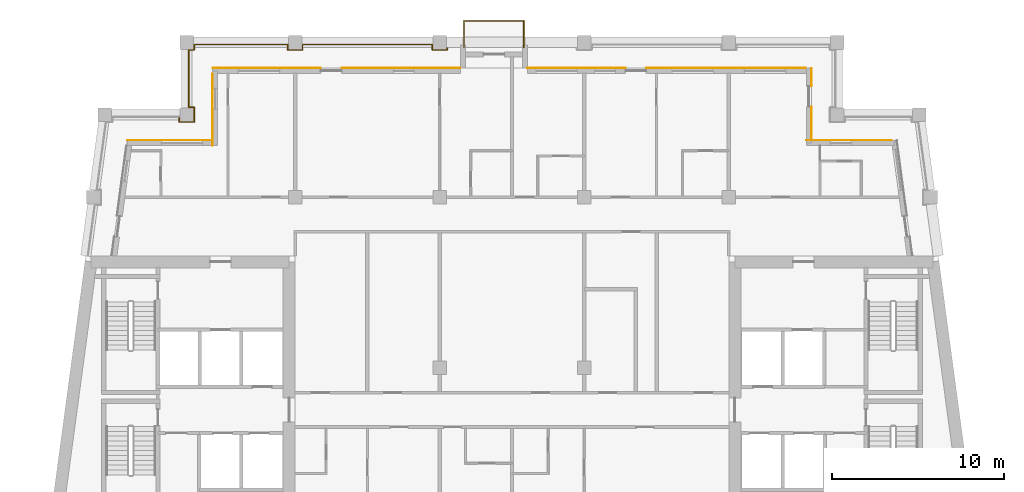
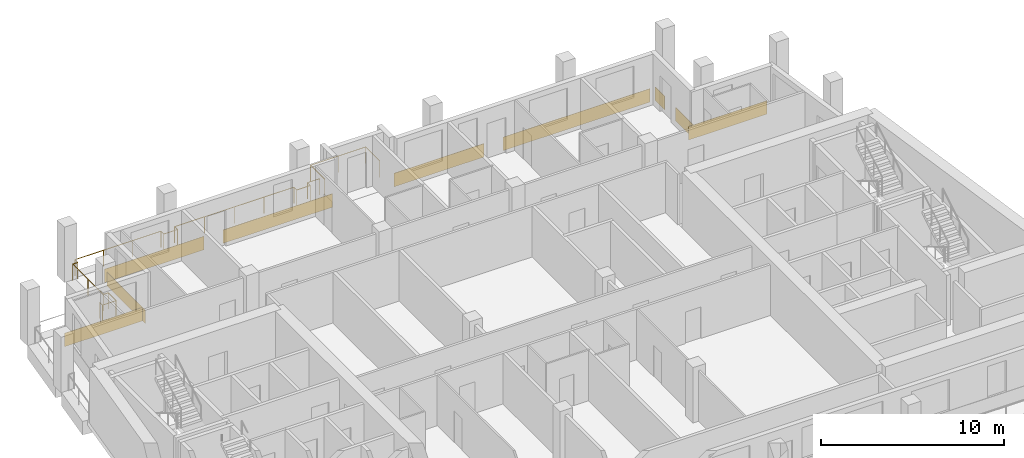
# One storey, part 13 of 14: 9 coverings, 2 railings.
"""IFC4 building model written with IfcOpenShell, lengths in metres."""

from ifc_helpers import new_model, si_unit, direction, frame, origin, origin_2d, place, context, subcontext, project, spatial, rectangle, circle, extrude, material, layer, layer_set, type_object, element, save


model = new_model("IFC4")

# Units and contexts
model_context = context("Model", 3, precision=1e-05, world=origin(), true_north=direction((0.0, 1.0)))
body_context = subcontext(model_context, "Body", "Model", "MODEL_VIEW")
ifc_project = project(units=[si_unit("LENGTHUNIT", "METRE"), si_unit("AREAUNIT", "SQUARE_METRE"), si_unit("VOLUMEUNIT", "CUBIC_METRE"), si_unit("PLANEANGLEUNIT", "RADIAN"), si_unit("MASSUNIT", "GRAM", prefix="KILO")], contexts=[model_context])

# Site, building, storey
site_placement = place(None, origin())
site = spatial("IfcSite", under=ifc_project, at=site_placement, CompositionType="ELEMENT")
building_placement = place(site_placement, origin())
building = spatial("IfcBuilding", under=site, at=building_placement, Name="Candeia Pilgrim Tower and Theatre", CompositionType="ELEMENT")
storey_placement = place(building_placement, frame((0.0, 0.0, 266.39990234375)))
storey = spatial("IfcBuildingStorey", under=building, at=storey_placement, Name="L64", CompositionType="ELEMENT", Elevation=266.39990234375)

# Railings
ifc_material_1 = material(Name="Stainless steel balustrade", Category="steel")
railing_type = type_object("IfcRailingType", Name="G1 loggia guard 1100", PredefinedType="GUARDRAIL", material=ifc_material_1)
railing_1_placement = place(storey_placement, frame((94.070068359375, 140.47998046875, 0.0)))
element("IfcRailing", 1, at=railing_1_placement, inside=storey, type_object=railing_type, Name="Guard L64.1", PredefinedType="GUARDRAIL", context=body_context, shape_type="SweptSolid", body=[
    extrude(circle(Radius=0.02392578125, at=origin_2d()), frame((0.0, 0.0, 1.076171875), z_axis=(0.0, -1.0, 0.0), x_axis=(1.0, 0.0, 0.0)), (0.0, 0.0, 1.0), 0.31005859375),
    extrude(circle(Radius=0.02392578125, at=origin_2d()), frame((0.0, -0.31005859375, 1.076171875), z_axis=(1.0, 0.0, 0.0), x_axis=(0.0, 1.0, 0.0)), (0.0, 0.0, 1.0), 0.85986328125),
    extrude(circle(Radius=0.02392578125, at=origin_2d()), frame((0.85986328125, -0.31005859375, 1.076171875), z_axis=(0.0, 1.0, 0.0), x_axis=(-1.0, 0.0, 0.0)), (0.0, 0.0, 1.0), 0.860107421875),
    extrude(circle(Radius=0.02392578125, at=origin_2d()), frame((0.85986328125, 0.550048828125, 1.076171875), z_axis=(-1.0, 0.0, 0.0), x_axis=(0.0, -1.0, 0.0)), (0.0, 0.0, 1.0), 0.309814453125),
    extrude(circle(Radius=0.02392578125, at=origin_2d()), frame((0.550048828125, 0.550048828125, 1.076171875), z_axis=(0.0, 1.0, 0.0), x_axis=(-1.0, 0.0, 0.0)), (0.0, 0.0, 1.0), 3.340087890625),
    extrude(circle(Radius=0.02392578125, at=origin_2d()), frame((0.550048828125, 3.89013671875, 1.076171875), z_axis=(1.0, 0.0, 0.0), x_axis=(0.0, 1.0, 0.0)), (0.0, 0.0, 1.0), 0.309814453125),
    extrude(circle(Radius=0.02392578125, at=origin_2d()), frame((0.85986328125, 3.89013671875, 1.076171875), z_axis=(0.0, 1.0, 0.0), x_axis=(-1.0, 0.0, 0.0)), (0.0, 0.0, 1.0), 0.309814453125),
    extrude(circle(Radius=0.02392578125, at=origin_2d()), frame((0.85986328125, 4.199951171875, 1.076171875), z_axis=(1.0, 0.0, 0.0), x_axis=(0.0, 1.0, 0.0)), (0.0, 0.0, 1.0), 5.440185546875),
    extrude(circle(Radius=0.02392578125, at=origin_2d()), frame((6.300048828125, 4.199951171875, 1.076171875), z_axis=(0.0, -1.0, 0.0), x_axis=(1.0, 0.0, 0.0)), (0.0, 0.0, 1.0), 0.309814453125),
    extrude(circle(Radius=0.02392578125, at=origin_2d()), frame((6.300048828125, 3.89013671875, 1.076171875), z_axis=(1.0, 0.0, 0.0), x_axis=(0.0, 1.0, 0.0)), (0.0, 0.0, 1.0), 0.85986328125),
    extrude(circle(Radius=0.02392578125, at=origin_2d()), frame((7.159912109375, 3.89013671875, 1.076171875), z_axis=(0.0, 1.0, 0.0), x_axis=(-1.0, 0.0, 0.0)), (0.0, 0.0, 1.0), 0.309814453125),
    extrude(circle(Radius=0.02392578125, at=origin_2d()), frame((7.159912109375, 4.199951171875, 1.076171875), z_axis=(1.0, 0.0, 0.0), x_axis=(0.0, 1.0, 0.0)), (0.0, 0.0, 1.0), 7.5400390625),
    extrude(circle(Radius=0.02392578125, at=origin_2d()), frame((14.699951171875, 4.199951171875, 1.076171875), z_axis=(0.0, -1.0, 0.0), x_axis=(1.0, 0.0, 0.0)), (0.0, 0.0, 1.0), 0.309814453125),
    extrude(circle(Radius=0.02392578125, at=origin_2d()), frame((14.699951171875, 3.89013671875, 1.076171875), z_axis=(1.0, 0.0, 0.0), x_axis=(0.0, 1.0, 0.0)), (0.0, 0.0, 1.0), 0.85986328125),
    extrude(circle(Radius=0.02392578125, at=origin_2d()), frame((15.559814453125, 3.89013671875, 1.076171875), z_axis=(0.0, 1.0, 0.0), x_axis=(-1.0, 0.0, 0.0)), (0.0, 0.0, 1.0), 0.309814453125),
    extrude(circle(Radius=0.02392578125, at=origin_2d()), frame((15.559814453125, 4.199951171875, 1.076171875), z_axis=(1.0, 0.0, 0.0), x_axis=(0.0, 1.0, 0.0)), (0.0, 0.0, 1.0), 0.77001953125),
    extrude(circle(Radius=0.02099609375, at=origin_2d()), origin(), (0.0, 0.0, 1.0), 1.052001953125),
    extrude(circle(Radius=0.02099609375, at=origin_2d()), frame((0.0, -0.31005859375, 0.0)), (0.0, 0.0, 1.0), 1.052001953125),
    extrude(circle(Radius=0.02099609375, at=origin_2d()), frame((0.85986328125, -0.31005859375, 0.0)), (0.0, 0.0, 1.0), 1.052001953125),
    extrude(circle(Radius=0.02099609375, at=origin_2d()), frame((0.85986328125, 0.550048828125, 0.0)), (0.0, 0.0, 1.0), 1.052001953125),
    extrude(circle(Radius=0.02099609375, at=origin_2d()), frame((0.550048828125, 0.550048828125, 0.0)), (0.0, 0.0, 1.0), 1.052001953125),
    extrude(circle(Radius=0.02099609375, at=origin_2d()), frame((0.550048828125, 2.22021484375, 0.0)), (0.0, 0.0, 1.0), 1.052001953125),
    extrude(circle(Radius=0.02099609375, at=origin_2d()), frame((0.550048828125, 3.89013671875, 0.0)), (0.0, 0.0, 1.0), 1.052001953125),
    extrude(circle(Radius=0.02099609375, at=origin_2d()), frame((0.85986328125, 3.89013671875, 0.0)), (0.0, 0.0, 1.0), 1.052001953125),
    extrude(circle(Radius=0.02099609375, at=origin_2d()), frame((0.85986328125, 4.199951171875, 0.0)), (0.0, 0.0, 1.0), 1.052001953125),
    extrude(circle(Radius=0.02099609375, at=origin_2d()), frame((2.67333984375, 4.199951171875, 0.0)), (0.0, 0.0, 1.0), 1.052001953125),
    extrude(circle(Radius=0.02099609375, at=origin_2d()), frame((4.486572265625, 4.199951171875, 0.0)), (0.0, 0.0, 1.0), 1.052001953125),
    extrude(circle(Radius=0.02099609375, at=origin_2d()), frame((6.300048828125, 4.199951171875, 0.0)), (0.0, 0.0, 1.0), 1.052001953125),
    extrude(circle(Radius=0.02099609375, at=origin_2d()), frame((6.300048828125, 3.89013671875, 0.0)), (0.0, 0.0, 1.0), 1.052001953125),
    extrude(circle(Radius=0.02099609375, at=origin_2d()), frame((7.159912109375, 3.89013671875, 0.0)), (0.0, 0.0, 1.0), 1.052001953125),
    extrude(circle(Radius=0.02099609375, at=origin_2d()), frame((7.159912109375, 4.199951171875, 0.0)), (0.0, 0.0, 1.0), 1.052001953125),
    extrude(circle(Radius=0.02099609375, at=origin_2d()), frame((9.044921875, 4.199951171875, 0.0)), (0.0, 0.0, 1.0), 1.052001953125),
    extrude(circle(Radius=0.02099609375, at=origin_2d()), frame((10.929931640625, 4.199951171875, 0.0)), (0.0, 0.0, 1.0), 1.052001953125),
    extrude(circle(Radius=0.02099609375, at=origin_2d()), frame((12.81494140625, 4.199951171875, 0.0)), (0.0, 0.0, 1.0), 1.052001953125),
    extrude(circle(Radius=0.02099609375, at=origin_2d()), frame((14.699951171875, 4.199951171875, 0.0)), (0.0, 0.0, 1.0), 1.052001953125),
    extrude(circle(Radius=0.02099609375, at=origin_2d()), frame((14.699951171875, 3.89013671875, 0.0)), (0.0, 0.0, 1.0), 1.052001953125),
    extrude(circle(Radius=0.02099609375, at=origin_2d()), frame((15.559814453125, 3.89013671875, 0.0)), (0.0, 0.0, 1.0), 1.052001953125),
    extrude(circle(Radius=0.02099609375, at=origin_2d()), frame((15.559814453125, 4.199951171875, 0.0)), (0.0, 0.0, 1.0), 1.052001953125),
    extrude(circle(Radius=0.02099609375, at=origin_2d()), frame((16.329833984375, 4.199951171875, 0.0)), (0.0, 0.0, 1.0), 1.052001953125),
])
railing_2_placement = place(storey_placement, frame((110.610107421875, 144.5, 0.0)))
element("IfcRailing", 2, at=railing_2_placement, inside=storey, type_object=railing_type, Name="Balcony guard L64", PredefinedType="GUARDRAIL", context=body_context, shape_type="SweptSolid", body=[
    extrude(circle(Radius=0.02392578125, at=origin_2d()), frame((0.0, 0.0, 1.076171875), z_axis=(0.0, 1.0, 0.0), x_axis=(-1.0, 0.0, 0.0)), (0.0, 0.0, 1.0), 1.5400390625),
    extrude(circle(Radius=0.02392578125, at=origin_2d()), frame((0.0, 1.5400390625, 1.076171875), z_axis=(1.0, 0.0, 0.0), x_axis=(0.0, 1.0, 0.0)), (0.0, 0.0, 1.0), 3.47998046875),
    extrude(circle(Radius=0.02392578125, at=origin_2d()), frame((3.47998046875, 1.5400390625, 1.076171875), z_axis=(0.0, -1.0, 0.0), x_axis=(1.0, 0.0, 0.0)), (0.0, 0.0, 1.0), 1.5400390625),
    extrude(circle(Radius=0.02099609375, at=origin_2d()), origin(), (0.0, 0.0, 1.0), 1.052001953125),
    extrude(circle(Radius=0.02099609375, at=origin_2d()), frame((0.0, 1.5400390625, 0.0)), (0.0, 0.0, 1.0), 1.052001953125),
    extrude(circle(Radius=0.02099609375, at=origin_2d()), frame((1.739990234375, 1.5400390625, 0.0)), (0.0, 0.0, 1.0), 1.052001953125),
    extrude(circle(Radius=0.02099609375, at=origin_2d()), frame((3.47998046875, 1.5400390625, 0.0)), (0.0, 0.0, 1.0), 1.052001953125),
    extrude(circle(Radius=0.02099609375, at=origin_2d()), frame((3.47998046875, 0.0, 0.0)), (0.0, 0.0, 1.0), 1.052001953125),
])

# Coverings
ifc_material_2 = material(Name="Glazed ceramic tile bottle green")
ifc_layer = layer(ifc_material_2, 0.02001953125)
ifc_layer_set = layer_set([ifc_layer], Name="Glazed ceramic tile bottle green")
covering_type = type_object("IfcCoveringType", Name="Glazed ceramic tile bottle green", PredefinedType="CLADDING", material=ifc_layer_set)
covering_1_placement = place(storey_placement, frame((132.976318359375, 139.110107421875, 0.000244140625), z_axis=(0.0, 0.0, 1.0), x_axis=(-1.0, 0.0, 0.0)))
element("IfcCovering", 3, at=covering_1_placement, inside=storey, type_object=covering_type, Name="Tile cladding bottle green L64", PredefinedType="CLADDING", context=body_context, shape_type="SweptSolid", body=[
    extrude(rectangle(XDim=4.95263671875, YDim=0.02001953125, at=origin_2d()), origin(), (0.0, 0.0, 1.0), 0.89990234375),
])
covering_2_placement = place(storey_placement, frame((130.81005859375, 140.0849609375, 0.000244140625), z_axis=(0.0, 0.0, 1.0), x_axis=(0.0, 1.0, 0.0)))
element("IfcCovering", 4, at=covering_2_placement, inside=storey, type_object=covering_type, Name="Tile cladding bottle green L64", PredefinedType="CLADDING", context=body_context, shape_type="SweptSolid", body=[
    extrude(rectangle(XDim=1.929931640625, YDim=0.02001953125, at=origin_2d()), origin(), (0.0, 0.0, 1.0), 0.89990234375),
])
covering_3_placement = place(storey_placement, frame((130.81005859375, 142.77490234375, 0.000244140625), z_axis=(0.0, 0.0, 1.0), x_axis=(0.0, 1.0, 0.0)))
element("IfcCovering", 5, at=covering_3_placement, inside=storey, type_object=covering_type, Name="Tile cladding bottle green L64", PredefinedType="CLADDING", context=body_context, shape_type="SweptSolid", body=[
    extrude(rectangle(XDim=1.050048828125, YDim=0.02001953125, at=origin_2d()), origin(), (0.0, 0.0, 1.0), 0.89990234375),
])
covering_4_placement = place(storey_placement, frame((125.840087890625, 143.31005859375, 0.000244140625), z_axis=(0.0, 0.0, 1.0), x_axis=(-1.0, 0.0, 0.0)))
element("IfcCovering", 6, at=covering_4_placement, inside=storey, type_object=covering_type, Name="Tile cladding bottle green L64", PredefinedType="CLADDING", context=body_context, shape_type="SweptSolid", body=[
    extrude(rectangle(XDim=9.280029296875, YDim=0.02001953125, at=origin_2d()), origin(), (0.0, 0.0, 1.0), 0.89990234375),
])
covering_5_placement = place(storey_placement, frame((117.14990234375, 143.31005859375, 0.000244140625), z_axis=(0.0, 0.0, 1.0), x_axis=(-1.0, 0.0, 0.0)))
element("IfcCovering", 7, at=covering_5_placement, inside=storey, type_object=covering_type, Name="Tile cladding bottle green L64", PredefinedType="CLADDING", context=body_context, shape_type="SweptSolid", body=[
    extrude(rectangle(XDim=5.699951171875, YDim=0.02001953125, at=origin_2d()), origin(), (0.0, 0.0, 1.0), 0.89990234375),
])
covering_6_placement = place(storey_placement, frame((106.949951171875, 143.31005859375, 0.000244140625), z_axis=(0.0, 0.0, 1.0), x_axis=(-1.0, 0.0, 0.0)))
element("IfcCovering", 8, at=covering_6_placement, inside=storey, type_object=covering_type, Name="Tile cladding bottle green L64", PredefinedType="CLADDING", context=body_context, shape_type="SweptSolid", body=[
    extrude(rectangle(XDim=6.89990234375, YDim=0.02001953125, at=origin_2d()), origin(), (0.0, 0.0, 1.0), 0.89990234375),
])
covering_7_placement = place(storey_placement, frame((99.14990234375, 143.31005859375, 0.000244140625), z_axis=(0.0, 0.0, 1.0), x_axis=(-1.0, 0.0, 0.0)))
element("IfcCovering", 9, at=covering_7_placement, inside=storey, type_object=covering_type, Name="Tile cladding bottle green L64", PredefinedType="CLADDING", context=body_context, shape_type="SweptSolid", body=[
    extrude(rectangle(XDim=6.300048828125, YDim=0.02001953125, at=origin_2d()), origin(), (0.0, 0.0, 1.0), 0.89990234375),
])
covering_8_placement = place(storey_placement, frame((95.989990234375, 140.889892578125, 0.000244140625), z_axis=(0.0, 0.0, 1.0), x_axis=(0.0, -1.0, 0.0)))
element("IfcCovering", 10, at=covering_8_placement, inside=storey, type_object=covering_type, Name="Tile cladding bottle green L64", PredefinedType="CLADDING", context=body_context, shape_type="SweptSolid", body=[
    extrude(rectangle(XDim=4.179931640625, YDim=0.02001953125, at=origin_2d()), origin(), (0.0, 0.0, 1.0), 0.89990234375),
])
covering_9_placement = place(storey_placement, frame((93.51318359375, 139.110107421875, 0.000244140625), z_axis=(0.0, 0.0, 1.0), x_axis=(-1.0, 0.0, 0.0)))
element("IfcCovering", 11, at=covering_9_placement, inside=storey, type_object=covering_type, Name="Tile cladding bottle green L64", PredefinedType="CLADDING", context=body_context, shape_type="SweptSolid", body=[
    extrude(rectangle(XDim=4.933837890625, YDim=0.02001953125, at=origin_2d()), origin(), (0.0, 0.0, 1.0), 0.89990234375),
])

save(model, "model.ifc")
